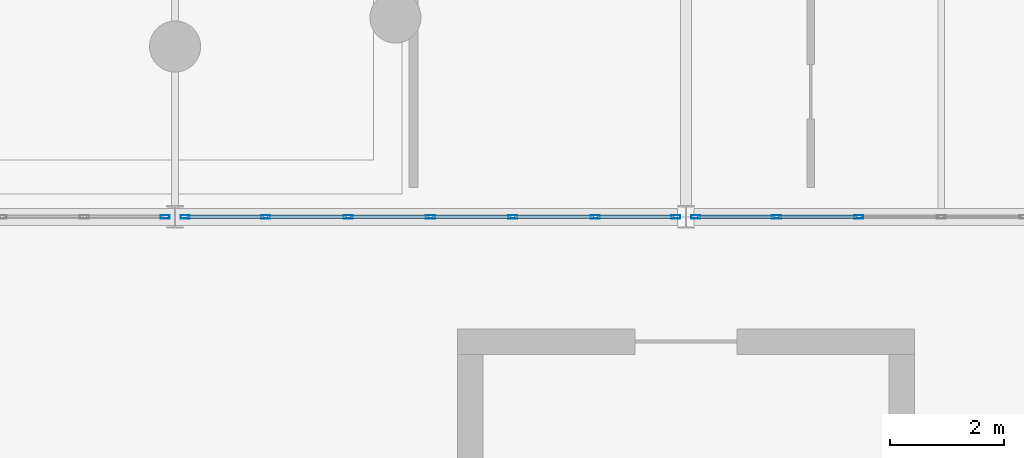
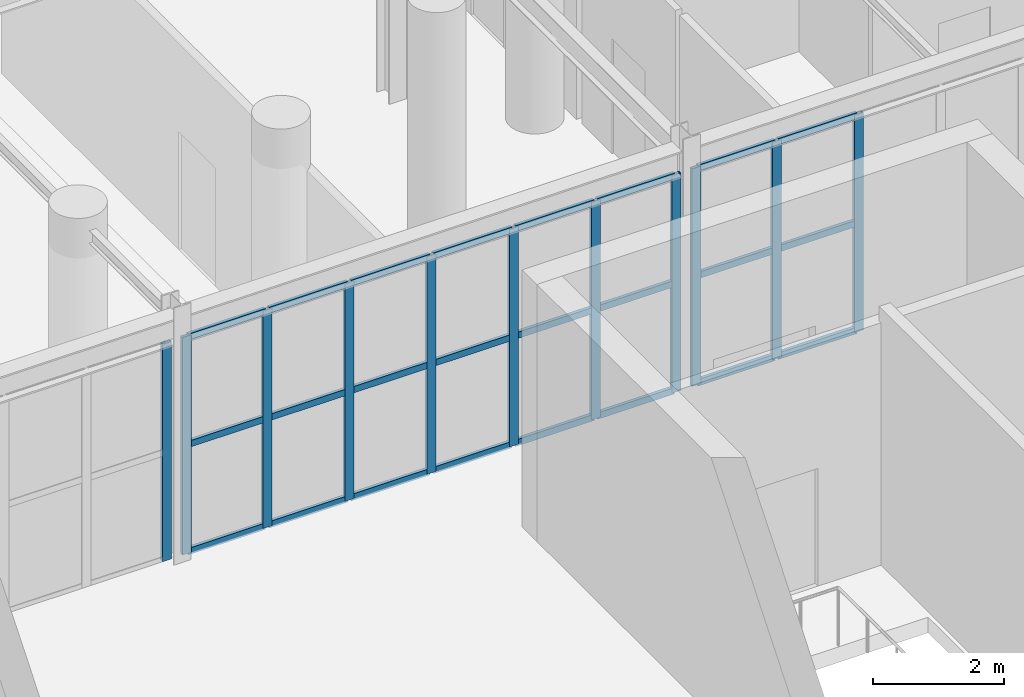
# One storey, part 5 of 29: 35 members, 3 elements without a shape of their own.
"""IFC4 building model written with IfcOpenShell, lengths in metres."""

import ifcopenshell
import ifcopenshell.guid

model = None  # the IFC model being written
_history = None  # IfcOwnerHistory: only IFC2X3 demands one
_inside = {}  # id of a spatial element -> (the spatial element, [elements in it])
_under = {}  # id of a project, library or spatial element -> (it, [spatial elements below it])
_declared = {}  # id of a project -> (the project, [libraries it declares])
_typed = {}  # id of a type object -> (the type object, [elements of that type])
_made_of = {}  # id of a material, layer set ... -> (it, [elements and type objects made of it])


def new_model(schema):
    """Start an empty IFC model of exactly this schema.

    Asked for "IFC4X3", IfcOpenShell would pick the latest addendum, in which some entities
    have other attributes; the version numbers below select the first issue.
    IFC2X3 requires an IfcOwnerHistory on every rooted entity: one is made here for all.
    """
    global model, _history
    if schema == "IFC4X3":
        model = ifcopenshell.file(schema_version=(4, 3, 0, 0))
    else:
        model = ifcopenshell.file(schema=schema)
    _inside.clear()
    _under.clear()
    _declared.clear()
    _typed.clear()
    _made_of.clear()
    _history = None
    if model.schema == "IFC2X3":
        org = make("IfcOrganization", Name="unknown")
        user = make(
            "IfcPersonAndOrganization",
            ThePerson=make("IfcPerson", FamilyName="unknown"),
            TheOrganization=org,
        )
        app = make(
            "IfcApplication",
            ApplicationDeveloper=org,
            Version="unknown",
            ApplicationFullName="unknown",
            ApplicationIdentifier="unknown",
        )
        _history = make(
            "IfcOwnerHistory",
            OwningUser=user,
            OwningApplication=app,
            ChangeAction="ADDED",
            CreationDate=0,
        )
    return model


def make(cls, **values):
    """One entity of the class cls with the attributes given. An attribute that is None is left unset."""
    return model.create_entity(
        cls, **{name: value for name, value in values.items() if value is not None}
    )


def rooted(cls, **values):
    """An entity with a GlobalId (a new one), such as an element, a storey or a relation."""
    return make(cls, GlobalId=ifcopenshell.guid.new(), OwnerHistory=_history, **values)


def si_unit(unit_type, name, prefix=None):
    """IfcSIUnit, for example si_unit("LENGTHUNIT", "METRE", prefix="MILLI")."""
    return make("IfcSIUnit", UnitType=unit_type, Prefix=prefix, Name=name)


def assignment(units):
    """IfcUnitAssignment: the units of a project."""
    return None if units is None else make("IfcUnitAssignment", Units=units)


def point(xyz):
    """IfcCartesianPoint."""
    return None if xyz is None else make("IfcCartesianPoint", Coordinates=xyz)


def direction(xyz):
    """IfcDirection."""
    return None if xyz is None else make("IfcDirection", DirectionRatios=xyz)


def frame(location, z_axis=None, x_axis=None):
    """IfcAxis2Placement3D, a coordinate frame: its origin and axes. An axis left out is left unset."""
    return make(
        "IfcAxis2Placement3D",
        Location=point(location),
        Axis=direction(z_axis),
        RefDirection=direction(x_axis),
    )


def frame_2d(location, x_axis=None):
    """IfcAxis2Placement2D, a coordinate frame in the plane: its origin and x axis."""
    return make(
        "IfcAxis2Placement2D", Location=point(location), RefDirection=direction(x_axis)
    )


def origin():
    """The frame at (0, 0, 0) with its axes left unset."""
    return frame((0.0, 0.0, 0.0))


def origin_2d():
    """The frame at (0, 0) in the plane with its x axis left unset."""
    return frame_2d((0.0, 0.0))


def place(relative_to, where):
    """IfcLocalPlacement: puts the frame where relative to a parent placement (None: the world)."""
    return make(
        "IfcLocalPlacement", PlacementRelTo=relative_to, RelativePlacement=where
    )


def context(
    kind, dimensions, precision=None, world=None, true_north=None, identifier=None
):
    """IfcGeometricRepresentationContext, for example the 3D "Model" context."""
    return make(
        "IfcGeometricRepresentationContext",
        ContextIdentifier=identifier,
        ContextType=kind,
        CoordinateSpaceDimension=dimensions,
        Precision=precision,
        WorldCoordinateSystem=world,
        TrueNorth=true_north,
    )


def subcontext(parent, identifier, kind, view, scale=None):
    """IfcGeometricRepresentationSubContext, for example "Body" below "Model"."""
    return make(
        "IfcGeometricRepresentationSubContext",
        ContextIdentifier=identifier,
        ContextType=kind,
        ParentContext=parent,
        TargetScale=scale,
        TargetView=view,
    )


def project(units=None, contexts=None):
    """IfcProject with its units and contexts."""
    return rooted(
        "IfcProject",
        Name="project",
        RepresentationContexts=contexts,
        UnitsInContext=assignment(units),
    )


def spatial(cls, under=None, at=None, **own):
    """A site, building, storey or space (cls), placed at a placement, below another one or the project."""
    s = rooted(cls, ObjectPlacement=at, **own)
    if under is not None:
        _under.setdefault(under.id(), (under, []))[1].append(s)
    return s


def profile(cls, at=None, kind="AREA", **sizes):
    """A parametric profile (cls). Its sizes go by their IFC names, for example OverallWidth=200.0."""
    return make(cls, ProfileType=kind, Position=at, **sizes)


def hollow_rectangle(**sizes):
    """IfcRectangleHollowProfileDef."""
    return profile("IfcRectangleHollowProfileDef", **sizes)


def extrude(swept, where, along, depth):
    """IfcExtrudedAreaSolid: the profile swept, set in the frame where, extruded along a direction by depth."""
    return make(
        "IfcExtrudedAreaSolid",
        SweptArea=swept,
        Position=where,
        ExtrudedDirection=direction(along),
        Depth=depth,
    )


def shape(context_of_items, identifier, shape_type, items):
    """IfcShapeRepresentation: the items that make up one representation, for example the "Body"."""
    return make(
        "IfcShapeRepresentation",
        ContextOfItems=context_of_items,
        RepresentationIdentifier=identifier,
        RepresentationType=shape_type,
        Items=items,
    )


def material(Name=None, Category=None):
    """IfcMaterial."""
    return make("IfcMaterial", Name=Name, Category=Category)


def layer(
    of_material, thickness, ventilated=None, Name=None, Category=None, Priority=None
):
    """IfcMaterialLayer: one layer of a wall or slab, of a material (None: an air gap)."""
    return make(
        "IfcMaterialLayer",
        Material=of_material,
        LayerThickness=thickness,
        IsVentilated=ventilated,
        Name=Name,
        Category=Category,
        Priority=Priority,
    )


def layer_set(layers, Name=None):
    """IfcMaterialLayerSet."""
    return make("IfcMaterialLayerSet", MaterialLayers=layers, LayerSetName=Name)


def material_profile(
    of_material, cross_section, Name=None, Category=None, Priority=None
):
    """IfcMaterialProfile: a cross section and its material."""
    return make(
        "IfcMaterialProfile",
        Name=Name,
        Material=of_material,
        Profile=cross_section,
        Priority=Priority,
        Category=Category,
    )


def profile_set(profiles, Name=None, composite=None):
    """IfcMaterialProfileSet."""
    return make(
        "IfcMaterialProfileSet",
        Name=Name,
        MaterialProfiles=profiles,
        CompositeProfile=composite,
    )


def made_of(thing, what):
    """Note that an element or type object is made of a material, layer set ...; save() writes the relation."""
    if what is not None:
        _made_of.setdefault(what.id(), (what, []))[1].append(thing)
    return thing


def type_object(cls, material=None, **own):
    """A type object (cls), such as IfcWallType, which elements share."""
    return made_of(rooted(cls, **own), material)


def element(
    cls,
    number,
    at=None,
    inside=None,
    cuts=None,
    type_object=None,
    material=None,
    context=None,
    identifier="Body",
    shape_type=None,
    held_by="IfcProductDefinitionShape",
    body=None,
    shapes=None,
    **own,
):
    """One element of the class cls, such as IfcWall. Its Tag is "e" and its number.

    at: its placement. inside: the storey or other place that contains it. cuts: it is an
    opening in that element (IfcRelVoidsElement). A single representation is given by context,
    identifier, shape_type and body (its items); several are given by shapes. held_by: the class
    of the entity that holds the representations. save() writes the other relations.
    """
    e = rooted(cls, Tag="e%d" % number, ObjectPlacement=at, **own)
    if body is not None:
        shapes = [shape(context, identifier, shape_type, body)]
    if shapes is not None:
        e.Representation = make(held_by, Representations=shapes)
    if inside is not None:
        _inside.setdefault(inside.id(), (inside, []))[1].append(e)
    if cuts is not None:
        rooted(
            "IfcRelVoidsElement", RelatingBuildingElement=cuts, RelatedOpeningElement=e
        )
    if type_object is not None:
        _typed.setdefault(type_object.id(), (type_object, []))[1].append(e)
    return made_of(e, material)


def aggregate(whole, parts):
    """IfcRelAggregates: a whole, such as a stair, and the parts it consists of."""
    return rooted("IfcRelAggregates", RelatingObject=whole, RelatedObjects=parts)


def save(model, path):
    """Write the relations noted so far, then the file.

    IfcRelAggregates (storeys below a building ...), IfcRelContainedInSpatialStructure (elements
    in a storey), IfcRelDefinesByType, IfcRelAssociatesMaterial and IfcRelDeclares: one each for
    every whole, place, type object, material and project.
    """
    for whole, parts in _under.values():
        aggregate(whole, parts)
    for where, things in _inside.values():
        rooted(
            "IfcRelContainedInSpatialStructure",
            RelatedElements=things,
            RelatingStructure=where,
        )
    for kind, things in _typed.values():
        rooted("IfcRelDefinesByType", RelatedObjects=things, RelatingType=kind)
    for what, things in _made_of.values():
        rooted("IfcRelAssociatesMaterial", RelatedObjects=things, RelatingMaterial=what)
    for by, libraries in _declared.values():
        rooted("IfcRelDeclares", RelatingContext=by, RelatedDefinitions=libraries)
    model.write(path)


model = new_model("IFC4")

# Units and contexts
model_context = context("Model", 3, precision=1e-05, world=origin(), true_north=direction((0.0, 1.0)))
body_context = subcontext(model_context, "Body", "Model", "MODEL_VIEW")
ifc_project = project(units=[si_unit("LENGTHUNIT", "METRE"), si_unit("AREAUNIT", "SQUARE_METRE"), si_unit("VOLUMEUNIT", "CUBIC_METRE"), si_unit("PLANEANGLEUNIT", "RADIAN"), si_unit("MASSUNIT", "GRAM", prefix="KILO")], contexts=[model_context])

# Site, building, storey
site_placement = place(None, origin())
site = spatial("IfcSite", under=ifc_project, at=site_placement, CompositionType="ELEMENT")
building_placement = place(site_placement, origin())
building = spatial("IfcBuilding", under=site, at=building_placement, Name="Dornveld Trade and Exhibition Forum", CompositionType="ELEMENT")
storey_placement = place(building_placement, frame((0.0, 0.0, 21.60009765625)))
storey = spatial("IfcBuildingStorey", under=building, at=storey_placement, Name="L04", CompositionType="ELEMENT", Elevation=21.60009765625)

# Curtain wall, member
ifc_material_1 = material(Name="Dark-bronze anodised aluminium and low-E glass", Category="aluminium")
ifc_layer_1 = layer(ifc_material_1, 0.193115234375)
ifc_layer_set_1 = layer_set([ifc_layer_1], Name="Dark-bronze anodised aluminium and low-E glass")
curtain_wall_type_1 = type_object("IfcCurtainWallType", Name="CW-SYS-17", PredefinedType="USERDEFINED", material=ifc_layer_set_1)
curtain_wall_1_placement = place(storey_placement, origin())
curtain_wall_1 = element("IfcCurtainWall", 1, at=curtain_wall_1_placement, inside=storey, type_object=curtain_wall_type_1, Name="L04 unitised curtain wall 125", ObjectType="UNITISED_CURTAIN_WALL", PredefinedType="USERDEFINED")
ifc_material_2 = material(Name="Dark-bronze anodised aluminium", Category="aluminium")
ifc_material_profile_1 = material_profile(ifc_material_2, hollow_rectangle(XDim=0.06005859375, YDim=0.159912109375, WallThickness=0.00390625, at=origin_2d()), Name="RHS 160x60x4")
ifc_profile_set_1 = profile_set([ifc_material_profile_1], Name="Dark-bronze anodised aluminium")
member_type_1 = type_object("IfcMemberType", Name="CW-MUL-160", PredefinedType="MULLION", material=ifc_profile_set_1)
member_1_placement = place(storey_placement, frame((116.823974609375, 63.0, -0.004150390625), z_axis=(0.0, 0.0, 1.0), x_axis=(0.0, 1.0, 0.0)))
member_1 = element("IfcMember", 2, at=member_1_placement, type_object=member_type_1, Name="CW-17 mullion 7", PredefinedType="MULLION", context=body_context, shape_type="SweptSolid", body=[
    extrude(hollow_rectangle(XDim=0.06005859375, YDim=0.159912109375, WallThickness=0.00390625, at=origin_2d()), origin(), (0.0, 0.0, 1.0), 4.06396484375),
])
aggregate(curtain_wall_1, [member_1])

# Curtain wall, members
ifc_material_3 = material(Name="Dark-bronze anodised aluminium and low-E glass", Category="aluminium")
ifc_layer_2 = layer(ifc_material_3, 0.14501953125)
ifc_layer_set_2 = layer_set([ifc_layer_2], Name="Dark-bronze anodised aluminium and low-E glass")
curtain_wall_type_2 = type_object("IfcCurtainWallType", Name="CW-SYS-01", PredefinedType="USERDEFINED", material=ifc_layer_set_2)
curtain_wall_2_placement = place(storey_placement, origin())
curtain_wall_2 = element("IfcCurtainWall", 3, at=curtain_wall_2_placement, inside=storey, type_object=curtain_wall_type_2, Name="L04 unitised curtain wall 127", ObjectType="UNITISED_CURTAIN_WALL", PredefinedType="USERDEFINED")
member_2_placement = place(storey_placement, frame((117.176025390625, 63.0, -0.004150390625), z_axis=(0.0, 0.0, 1.0), x_axis=(0.0, 1.0, 0.0)))
member_2 = element("IfcMember", 4, at=member_2_placement, type_object=member_type_1, Name="CW-01 mullion 1", PredefinedType="MULLION", context=body_context, shape_type="SweptSolid", body=[
    extrude(hollow_rectangle(XDim=0.06005859375, YDim=0.159912109375, WallThickness=0.00390625, at=origin_2d()), origin(), (0.0, 0.0, 1.0), 4.06396484375),
])
member_3_placement = place(storey_placement, frame((118.597412109375, 63.0, -0.004150390625), z_axis=(0.0, 0.0, 1.0), x_axis=(0.0, 1.0, 0.0)))
member_3 = element("IfcMember", 5, at=member_3_placement, type_object=member_type_1, Name="CW-01 mullion 2", PredefinedType="MULLION", context=body_context, shape_type="SweptSolid", body=[
    extrude(hollow_rectangle(XDim=0.06005859375, YDim=0.159912109375, WallThickness=0.00390625, at=origin_2d()), origin(), (0.0, 0.0, 1.0), 4.06396484375),
])
member_4_placement = place(storey_placement, frame((120.048583984375, 63.0, -0.004150390625), z_axis=(0.0, 0.0, 1.0), x_axis=(0.0, 1.0, 0.0)))
member_4 = element("IfcMember", 6, at=member_4_placement, type_object=member_type_1, Name="CW-01 mullion 3", PredefinedType="MULLION", context=body_context, shape_type="SweptSolid", body=[
    extrude(hollow_rectangle(XDim=0.06005859375, YDim=0.159912109375, WallThickness=0.00390625, at=origin_2d()), origin(), (0.0, 0.0, 1.0), 4.06396484375),
])
member_5_placement = place(storey_placement, frame((121.5, 63.0, -0.004150390625), z_axis=(0.0, 0.0, 1.0), x_axis=(0.0, 1.0, 0.0)))
member_5 = element("IfcMember", 7, at=member_5_placement, type_object=member_type_1, Name="CW-01 mullion 4", PredefinedType="MULLION", context=body_context, shape_type="SweptSolid", body=[
    extrude(hollow_rectangle(XDim=0.06005859375, YDim=0.159912109375, WallThickness=0.00390625, at=origin_2d()), origin(), (0.0, 0.0, 1.0), 4.06396484375),
])
member_6_placement = place(storey_placement, frame((122.951416015625, 63.0, -0.004150390625), z_axis=(0.0, 0.0, 1.0), x_axis=(0.0, 1.0, 0.0)))
member_6 = element("IfcMember", 8, at=member_6_placement, type_object=member_type_1, Name="CW-01 mullion 5", PredefinedType="MULLION", context=body_context, shape_type="SweptSolid", body=[
    extrude(hollow_rectangle(XDim=0.06005859375, YDim=0.159912109375, WallThickness=0.00390625, at=origin_2d()), origin(), (0.0, 0.0, 1.0), 4.06396484375),
])
member_7_placement = place(storey_placement, frame((124.402587890625, 63.0, -0.004150390625), z_axis=(0.0, 0.0, 1.0), x_axis=(0.0, 1.0, 0.0)))
member_7 = element("IfcMember", 9, at=member_7_placement, type_object=member_type_1, Name="CW-01 mullion 6", PredefinedType="MULLION", context=body_context, shape_type="SweptSolid", body=[
    extrude(hollow_rectangle(XDim=0.06005859375, YDim=0.159912109375, WallThickness=0.00390625, at=origin_2d()), origin(), (0.0, 0.0, 1.0), 4.06396484375),
])
member_8_placement = place(storey_placement, frame((125.823974609375, 63.0, -0.004150390625), z_axis=(0.0, 0.0, 1.0), x_axis=(0.0, 1.0, 0.0)))
member_8 = element("IfcMember", 10, at=member_8_placement, type_object=member_type_1, Name="CW-01 mullion 7", PredefinedType="MULLION", context=body_context, shape_type="SweptSolid", body=[
    extrude(hollow_rectangle(XDim=0.06005859375, YDim=0.159912109375, WallThickness=0.00390625, at=origin_2d()), origin(), (0.0, 0.0, 1.0), 4.06396484375),
])

ifc_material_4 = material(Name="Dark-bronze anodised aluminium and low-E glass", Category="aluminium")
ifc_layer_3 = layer(ifc_material_4, 0.15087890625)
ifc_layer_set_3 = layer_set([ifc_layer_3], Name="Dark-bronze anodised aluminium and low-E glass")
curtain_wall_type_3 = type_object("IfcCurtainWallType", Name="CW-SYS-03", PredefinedType="USERDEFINED", material=ifc_layer_set_3)
curtain_wall_3_placement = place(storey_placement, origin())
curtain_wall_3 = element("IfcCurtainWall", 11, at=curtain_wall_3_placement, inside=storey, type_object=curtain_wall_type_3, Name="L04 unitised curtain wall 129", ObjectType="UNITISED_CURTAIN_WALL", PredefinedType="USERDEFINED")
member_9_placement = place(storey_placement, frame((126.176025390625, 63.0, -0.004150390625), z_axis=(0.0, 0.0, 1.0), x_axis=(0.0, 1.0, 0.0)))
member_9 = element("IfcMember", 12, at=member_9_placement, type_object=member_type_1, Name="CW-03 mullion 1", PredefinedType="MULLION", context=body_context, shape_type="SweptSolid", body=[
    extrude(hollow_rectangle(XDim=0.06005859375, YDim=0.159912109375, WallThickness=0.00390625, at=origin_2d()), origin(), (0.0, 0.0, 1.0), 4.06396484375),
])
member_10_placement = place(storey_placement, frame((127.597412109375, 63.0, -0.004150390625), z_axis=(0.0, 0.0, 1.0), x_axis=(0.0, 1.0, 0.0)))
member_10 = element("IfcMember", 13, at=member_10_placement, type_object=member_type_1, Name="CW-03 mullion 2", PredefinedType="MULLION", context=body_context, shape_type="SweptSolid", body=[
    extrude(hollow_rectangle(XDim=0.06005859375, YDim=0.159912109375, WallThickness=0.00390625, at=origin_2d()), origin(), (0.0, 0.0, 1.0), 4.06396484375),
])
member_11_placement = place(storey_placement, frame((129.048583984375, 63.0, -0.004150390625), z_axis=(0.0, 0.0, 1.0), x_axis=(0.0, 1.0, 0.0)))
member_11 = element("IfcMember", 14, at=member_11_placement, type_object=member_type_1, Name="CW-03 mullion 3", PredefinedType="MULLION", context=body_context, shape_type="SweptSolid", body=[
    extrude(hollow_rectangle(XDim=0.06005859375, YDim=0.159912109375, WallThickness=0.00390625, at=origin_2d()), origin(), (0.0, 0.0, 1.0), 4.06396484375),
])

# Member
ifc_material_5 = material(Name="Dark-bronze anodised aluminium", Category="aluminium")
ifc_material_profile_2 = material_profile(ifc_material_5, hollow_rectangle(XDim=0.06005859375, YDim=0.1201171875, WallThickness=0.00390625, at=origin_2d()), Name="RHS 120x60x4")
ifc_profile_set_2 = profile_set([ifc_material_profile_2], Name="Dark-bronze anodised aluminium")
member_type_2 = type_object("IfcMemberType", Name="CW-TRN-120", PredefinedType="USERDEFINED", material=ifc_profile_set_2)
member_12_placement = place(storey_placement, frame((117.2060546875, 63.0, 0.02587890625), z_axis=(1.0, 0.0, 0.0), x_axis=(0.0, 1.0, 0.0)))
member_12 = element("IfcMember", 15, at=member_12_placement, type_object=member_type_2, Name="CW-01 transom 1.1", ObjectType="TRANSOM", PredefinedType="USERDEFINED", context=body_context, shape_type="SweptSolid", body=[
    extrude(hollow_rectangle(XDim=0.06005859375, YDim=0.1201171875, WallThickness=0.00390625, at=origin_2d()), origin(), (0.0, 0.0, 1.0), 1.361328125),
])

member_13_placement = place(storey_placement, frame((117.2060546875, 63.0, 2.02783203125), z_axis=(1.0, 0.0, 0.0), x_axis=(0.0, 1.0, 0.0)))
member_13 = element("IfcMember", 16, at=member_13_placement, type_object=member_type_2, Name="CW-01 transom 1.2", ObjectType="TRANSOM", PredefinedType="USERDEFINED", context=body_context, shape_type="SweptSolid", body=[
    extrude(hollow_rectangle(XDim=0.06005859375, YDim=0.1201171875, WallThickness=0.00390625, at=origin_2d()), origin(), (0.0, 0.0, 1.0), 1.361328125),
])

member_14_placement = place(storey_placement, frame((117.2060546875, 63.0, 4.02978515625), z_axis=(1.0, 0.0, 0.0), x_axis=(0.0, 1.0, 0.0)))
member_14 = element("IfcMember", 17, at=member_14_placement, type_object=member_type_2, Name="CW-01 transom 1.3", ObjectType="TRANSOM", PredefinedType="USERDEFINED", context=body_context, shape_type="SweptSolid", body=[
    extrude(hollow_rectangle(XDim=0.06005859375, YDim=0.1201171875, WallThickness=0.00390625, at=origin_2d()), origin(), (0.0, 0.0, 1.0), 1.361328125),
])

member_15_placement = place(storey_placement, frame((118.62744140625, 63.0, 0.02587890625), z_axis=(1.0, 0.0, 0.0), x_axis=(0.0, 1.0, 0.0)))
member_15 = element("IfcMember", 18, at=member_15_placement, type_object=member_type_2, Name="CW-01 transom 2.1", ObjectType="TRANSOM", PredefinedType="USERDEFINED", context=body_context, shape_type="SweptSolid", body=[
    extrude(hollow_rectangle(XDim=0.06005859375, YDim=0.1201171875, WallThickness=0.00390625, at=origin_2d()), origin(), (0.0, 0.0, 1.0), 1.39111328125),
])

member_16_placement = place(storey_placement, frame((118.62744140625, 63.0, 2.02783203125), z_axis=(1.0, 0.0, 0.0), x_axis=(0.0, 1.0, 0.0)))
member_16 = element("IfcMember", 19, at=member_16_placement, type_object=member_type_2, Name="CW-01 transom 2.2", ObjectType="TRANSOM", PredefinedType="USERDEFINED", context=body_context, shape_type="SweptSolid", body=[
    extrude(hollow_rectangle(XDim=0.06005859375, YDim=0.1201171875, WallThickness=0.00390625, at=origin_2d()), origin(), (0.0, 0.0, 1.0), 1.39111328125),
])

member_17_placement = place(storey_placement, frame((118.62744140625, 63.0, 4.02978515625), z_axis=(1.0, 0.0, 0.0), x_axis=(0.0, 1.0, 0.0)))
member_17 = element("IfcMember", 20, at=member_17_placement, type_object=member_type_2, Name="CW-01 transom 2.3", ObjectType="TRANSOM", PredefinedType="USERDEFINED", context=body_context, shape_type="SweptSolid", body=[
    extrude(hollow_rectangle(XDim=0.06005859375, YDim=0.1201171875, WallThickness=0.00390625, at=origin_2d()), origin(), (0.0, 0.0, 1.0), 1.39111328125),
])

member_18_placement = place(storey_placement, frame((120.07861328125, 63.0, 0.02587890625), z_axis=(1.0, 0.0, 0.0), x_axis=(0.0, 1.0, 0.0)))
member_18 = element("IfcMember", 21, at=member_18_placement, type_object=member_type_2, Name="CW-01 transom 3.1", ObjectType="TRANSOM", PredefinedType="USERDEFINED", context=body_context, shape_type="SweptSolid", body=[
    extrude(hollow_rectangle(XDim=0.06005859375, YDim=0.1201171875, WallThickness=0.00390625, at=origin_2d()), origin(), (0.0, 0.0, 1.0), 1.391357421875),
])

member_19_placement = place(storey_placement, frame((120.07861328125, 63.0, 2.02783203125), z_axis=(1.0, 0.0, 0.0), x_axis=(0.0, 1.0, 0.0)))
member_19 = element("IfcMember", 22, at=member_19_placement, type_object=member_type_2, Name="CW-01 transom 3.2", ObjectType="TRANSOM", PredefinedType="USERDEFINED", context=body_context, shape_type="SweptSolid", body=[
    extrude(hollow_rectangle(XDim=0.06005859375, YDim=0.1201171875, WallThickness=0.00390625, at=origin_2d()), origin(), (0.0, 0.0, 1.0), 1.391357421875),
])

member_20_placement = place(storey_placement, frame((120.07861328125, 63.0, 4.02978515625), z_axis=(1.0, 0.0, 0.0), x_axis=(0.0, 1.0, 0.0)))
member_20 = element("IfcMember", 23, at=member_20_placement, type_object=member_type_2, Name="CW-01 transom 3.3", ObjectType="TRANSOM", PredefinedType="USERDEFINED", context=body_context, shape_type="SweptSolid", body=[
    extrude(hollow_rectangle(XDim=0.06005859375, YDim=0.1201171875, WallThickness=0.00390625, at=origin_2d()), origin(), (0.0, 0.0, 1.0), 1.391357421875),
])

member_21_placement = place(storey_placement, frame((121.530029296875, 63.0, 0.02587890625), z_axis=(1.0, 0.0, 0.0), x_axis=(0.0, 1.0, 0.0)))
member_21 = element("IfcMember", 24, at=member_21_placement, type_object=member_type_2, Name="CW-01 transom 4.1", ObjectType="TRANSOM", PredefinedType="USERDEFINED", context=body_context, shape_type="SweptSolid", body=[
    extrude(hollow_rectangle(XDim=0.06005859375, YDim=0.1201171875, WallThickness=0.00390625, at=origin_2d()), origin(), (0.0, 0.0, 1.0), 1.391357421875),
])

member_22_placement = place(storey_placement, frame((121.530029296875, 63.0, 2.02783203125), z_axis=(1.0, 0.0, 0.0), x_axis=(0.0, 1.0, 0.0)))
member_22 = element("IfcMember", 25, at=member_22_placement, type_object=member_type_2, Name="CW-01 transom 4.2", ObjectType="TRANSOM", PredefinedType="USERDEFINED", context=body_context, shape_type="SweptSolid", body=[
    extrude(hollow_rectangle(XDim=0.06005859375, YDim=0.1201171875, WallThickness=0.00390625, at=origin_2d()), origin(), (0.0, 0.0, 1.0), 1.391357421875),
])

member_23_placement = place(storey_placement, frame((121.530029296875, 63.0, 4.02978515625), z_axis=(1.0, 0.0, 0.0), x_axis=(0.0, 1.0, 0.0)))
member_23 = element("IfcMember", 26, at=member_23_placement, type_object=member_type_2, Name="CW-01 transom 4.3", ObjectType="TRANSOM", PredefinedType="USERDEFINED", context=body_context, shape_type="SweptSolid", body=[
    extrude(hollow_rectangle(XDim=0.06005859375, YDim=0.1201171875, WallThickness=0.00390625, at=origin_2d()), origin(), (0.0, 0.0, 1.0), 1.391357421875),
])

member_24_placement = place(storey_placement, frame((122.9814453125, 63.0, 0.02587890625), z_axis=(1.0, 0.0, 0.0), x_axis=(0.0, 1.0, 0.0)))
member_24 = element("IfcMember", 27, at=member_24_placement, type_object=member_type_2, Name="CW-01 transom 5.1", ObjectType="TRANSOM", PredefinedType="USERDEFINED", context=body_context, shape_type="SweptSolid", body=[
    extrude(hollow_rectangle(XDim=0.06005859375, YDim=0.1201171875, WallThickness=0.00390625, at=origin_2d()), origin(), (0.0, 0.0, 1.0), 1.39111328125),
])

member_25_placement = place(storey_placement, frame((122.9814453125, 63.0, 2.02783203125), z_axis=(1.0, 0.0, 0.0), x_axis=(0.0, 1.0, 0.0)))
member_25 = element("IfcMember", 28, at=member_25_placement, type_object=member_type_2, Name="CW-01 transom 5.2", ObjectType="TRANSOM", PredefinedType="USERDEFINED", context=body_context, shape_type="SweptSolid", body=[
    extrude(hollow_rectangle(XDim=0.06005859375, YDim=0.1201171875, WallThickness=0.00390625, at=origin_2d()), origin(), (0.0, 0.0, 1.0), 1.39111328125),
])

member_26_placement = place(storey_placement, frame((122.9814453125, 63.0, 4.02978515625), z_axis=(1.0, 0.0, 0.0), x_axis=(0.0, 1.0, 0.0)))
member_26 = element("IfcMember", 29, at=member_26_placement, type_object=member_type_2, Name="CW-01 transom 5.3", ObjectType="TRANSOM", PredefinedType="USERDEFINED", context=body_context, shape_type="SweptSolid", body=[
    extrude(hollow_rectangle(XDim=0.06005859375, YDim=0.1201171875, WallThickness=0.00390625, at=origin_2d()), origin(), (0.0, 0.0, 1.0), 1.39111328125),
])

member_27_placement = place(storey_placement, frame((124.4326171875, 63.0, 0.02587890625), z_axis=(1.0, 0.0, 0.0), x_axis=(0.0, 1.0, 0.0)))
member_27 = element("IfcMember", 30, at=member_27_placement, type_object=member_type_2, Name="CW-01 transom 6.1", ObjectType="TRANSOM", PredefinedType="USERDEFINED", context=body_context, shape_type="SweptSolid", body=[
    extrude(hollow_rectangle(XDim=0.06005859375, YDim=0.1201171875, WallThickness=0.00390625, at=origin_2d()), origin(), (0.0, 0.0, 1.0), 1.361328125),
])

member_28_placement = place(storey_placement, frame((124.4326171875, 63.0, 2.02783203125), z_axis=(1.0, 0.0, 0.0), x_axis=(0.0, 1.0, 0.0)))
member_28 = element("IfcMember", 31, at=member_28_placement, type_object=member_type_2, Name="CW-01 transom 6.2", ObjectType="TRANSOM", PredefinedType="USERDEFINED", context=body_context, shape_type="SweptSolid", body=[
    extrude(hollow_rectangle(XDim=0.06005859375, YDim=0.1201171875, WallThickness=0.00390625, at=origin_2d()), origin(), (0.0, 0.0, 1.0), 1.361328125),
])

member_29_placement = place(storey_placement, frame((124.4326171875, 63.0, 4.02978515625), z_axis=(1.0, 0.0, 0.0), x_axis=(0.0, 1.0, 0.0)))
member_29 = element("IfcMember", 32, at=member_29_placement, type_object=member_type_2, Name="CW-01 transom 6.3", ObjectType="TRANSOM", PredefinedType="USERDEFINED", context=body_context, shape_type="SweptSolid", body=[
    extrude(hollow_rectangle(XDim=0.06005859375, YDim=0.1201171875, WallThickness=0.00390625, at=origin_2d()), origin(), (0.0, 0.0, 1.0), 1.361328125),
])

aggregate(curtain_wall_2, [member_2, member_3, member_4, member_5, member_6, member_7, member_8, member_12, member_13, member_14, member_15, member_16, member_17, member_18, member_19, member_20, member_21, member_22, member_23, member_24, member_25, member_26, member_27, member_28, member_29])

member_30_placement = place(storey_placement, frame((126.2060546875, 63.0, 0.02587890625), z_axis=(1.0, 0.0, 0.0), x_axis=(0.0, 1.0, 0.0)))
member_30 = element("IfcMember", 33, at=member_30_placement, type_object=member_type_2, Name="CW-03 transom 1.1", ObjectType="TRANSOM", PredefinedType="USERDEFINED", context=body_context, shape_type="SweptSolid", body=[
    extrude(hollow_rectangle(XDim=0.06005859375, YDim=0.1201171875, WallThickness=0.00390625, at=origin_2d()), origin(), (0.0, 0.0, 1.0), 1.361328125),
])

member_31_placement = place(storey_placement, frame((126.2060546875, 63.0, 2.02783203125), z_axis=(1.0, 0.0, 0.0), x_axis=(0.0, 1.0, 0.0)))
member_31 = element("IfcMember", 34, at=member_31_placement, type_object=member_type_2, Name="CW-03 transom 1.2", ObjectType="TRANSOM", PredefinedType="USERDEFINED", context=body_context, shape_type="SweptSolid", body=[
    extrude(hollow_rectangle(XDim=0.06005859375, YDim=0.1201171875, WallThickness=0.00390625, at=origin_2d()), origin(), (0.0, 0.0, 1.0), 1.361328125),
])

member_32_placement = place(storey_placement, frame((126.2060546875, 63.0, 4.02978515625), z_axis=(1.0, 0.0, 0.0), x_axis=(0.0, 1.0, 0.0)))
member_32 = element("IfcMember", 35, at=member_32_placement, type_object=member_type_2, Name="CW-03 transom 1.3", ObjectType="TRANSOM", PredefinedType="USERDEFINED", context=body_context, shape_type="SweptSolid", body=[
    extrude(hollow_rectangle(XDim=0.06005859375, YDim=0.1201171875, WallThickness=0.00390625, at=origin_2d()), origin(), (0.0, 0.0, 1.0), 1.361328125),
])

member_33_placement = place(storey_placement, frame((127.62744140625, 63.0, 0.02587890625), z_axis=(1.0, 0.0, 0.0), x_axis=(0.0, 1.0, 0.0)))
member_33 = element("IfcMember", 36, at=member_33_placement, type_object=member_type_2, Name="CW-03 transom 2.1", ObjectType="TRANSOM", PredefinedType="USERDEFINED", context=body_context, shape_type="SweptSolid", body=[
    extrude(hollow_rectangle(XDim=0.06005859375, YDim=0.1201171875, WallThickness=0.00390625, at=origin_2d()), origin(), (0.0, 0.0, 1.0), 1.39111328125),
])

member_34_placement = place(storey_placement, frame((127.62744140625, 63.0, 2.02783203125), z_axis=(1.0, 0.0, 0.0), x_axis=(0.0, 1.0, 0.0)))
member_34 = element("IfcMember", 37, at=member_34_placement, type_object=member_type_2, Name="CW-03 transom 2.2", ObjectType="TRANSOM", PredefinedType="USERDEFINED", context=body_context, shape_type="SweptSolid", body=[
    extrude(hollow_rectangle(XDim=0.06005859375, YDim=0.1201171875, WallThickness=0.00390625, at=origin_2d()), origin(), (0.0, 0.0, 1.0), 1.39111328125),
])

member_35_placement = place(storey_placement, frame((127.62744140625, 63.0, 4.02978515625), z_axis=(1.0, 0.0, 0.0), x_axis=(0.0, 1.0, 0.0)))
member_35 = element("IfcMember", 38, at=member_35_placement, type_object=member_type_2, Name="CW-03 transom 2.3", ObjectType="TRANSOM", PredefinedType="USERDEFINED", context=body_context, shape_type="SweptSolid", body=[
    extrude(hollow_rectangle(XDim=0.06005859375, YDim=0.1201171875, WallThickness=0.00390625, at=origin_2d()), origin(), (0.0, 0.0, 1.0), 1.39111328125),
])

aggregate(curtain_wall_3, [member_9, member_10, member_11, member_30, member_31, member_32, member_33, member_34, member_35])

save(model, "model.ifc")
